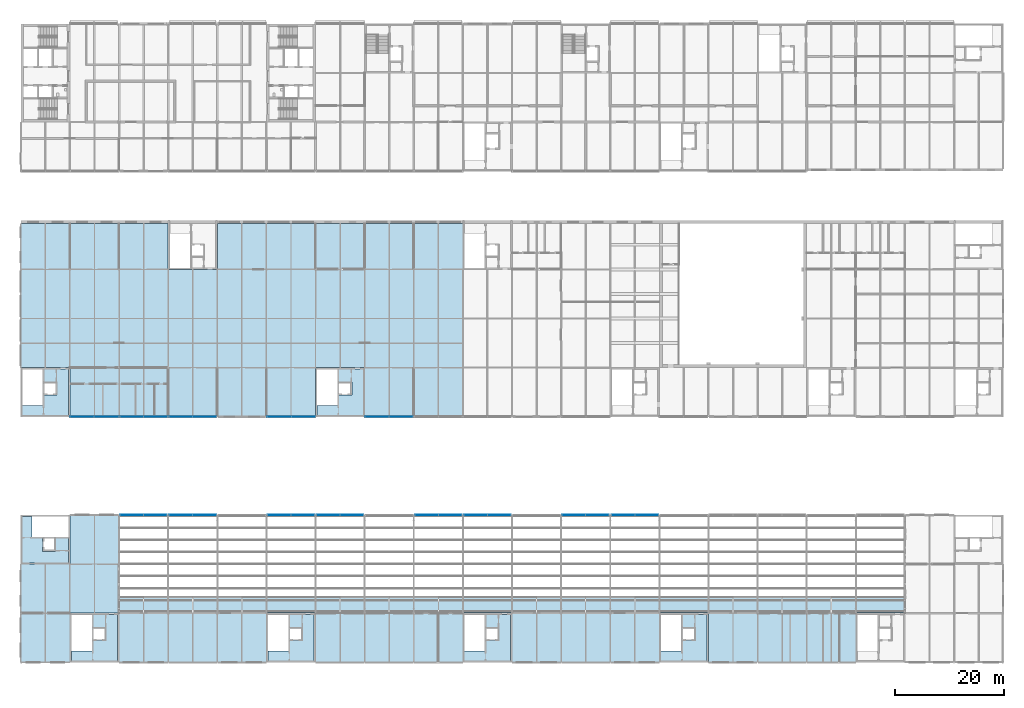
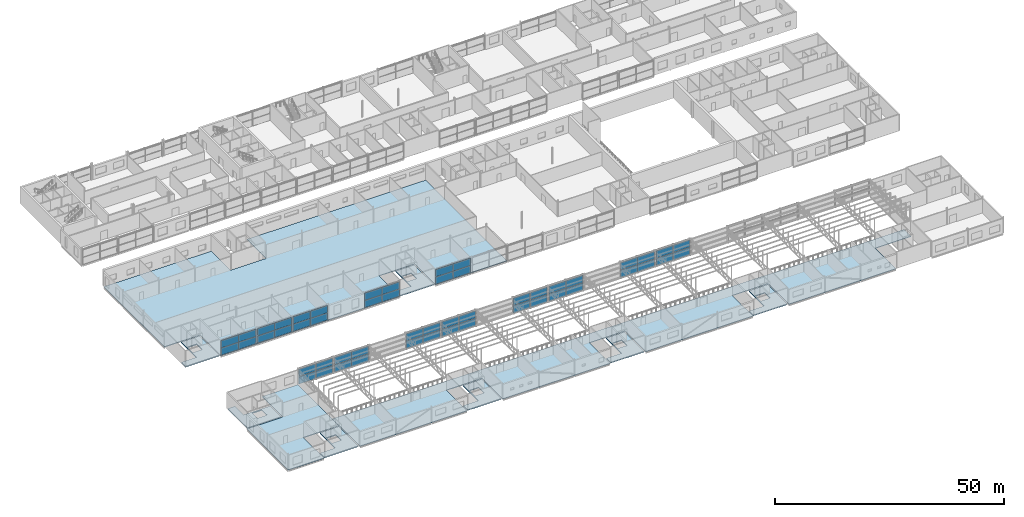
# One storey, part 99 of 138: 52 plates, 10 slabs, 13 elements without a shape of their own.
"""IFC4 building model written with IfcOpenShell, lengths in metres."""

from ifc_helpers import new_model, si_unit, direction, frame, origin, origin_2d, place, context, subcontext, project, spatial, polyline, rectangle, outline, extrude, material, layer, layer_set, type_object, element, aggregate, save


model = new_model("IFC4")

# Units and contexts
model_context = context("Model", 3, precision=1e-05, world=origin(), true_north=direction((0.0, 1.0)))
body_context = subcontext(model_context, "Body", "Model", "MODEL_VIEW")
ifc_project = project(units=[si_unit("LENGTHUNIT", "METRE"), si_unit("AREAUNIT", "SQUARE_METRE"), si_unit("VOLUMEUNIT", "CUBIC_METRE"), si_unit("PLANEANGLEUNIT", "RADIAN"), si_unit("MASSUNIT", "GRAM", prefix="KILO")], contexts=[model_context])

# Site, building, storey
site_placement = place(None, origin())
site = spatial("IfcSite", under=ifc_project, at=site_placement, CompositionType="ELEMENT")
building_placement = place(site_placement, origin())
building = spatial("IfcBuilding", under=site, at=building_placement, Name="Corbel Yard City Hall", CompositionType="ELEMENT")
storey_placement = place(building_placement, frame((0.0, 0.0, 10.5)))
storey = spatial("IfcBuildingStorey", under=building, at=storey_placement, Name="L02", CompositionType="ELEMENT", Elevation=10.5)

# Slabs
ifc_material_1 = material(Name="Concrete N40 (40 MPa)", Category="concrete")
ifc_layer_1 = layer(ifc_material_1, 0.25)
ifc_layer_set_1 = layer_set([ifc_layer_1], Name="Concrete N40 (40 MPa)")
slab_type_1 = type_object("IfcSlabType", Name="CF1", PredefinedType="FLOOR", material=ifc_layer_set_1)
slab_1_placement = place(storey_placement, frame((0.0, 0.0, -0.25)))
element("IfcSlab", 1, at=slab_1_placement, inside=storey, type_object=slab_type_1, Name="Core floor slab", PredefinedType="FLOOR", context=body_context, shape_type="SweptSolid", body=[
    extrude(outline(polyline([(17.75, 8.75), (13.050048828125, 8.75), (13.050048828125, 2.051025390625), (9.25, 2.051025390625), (9.25, 0.25), (17.75, 0.25), (17.75, 8.75)]), holes=[polyline([(15.64990234375, 4.0), (15.64990234375, 6.39990234375), (13.300048828125, 6.39990234375), (13.300048828125, 4.0), (15.64990234375, 4.0)])]), origin(), (0.0, 0.0, 1.0), 0.25),
])
slab_2_placement = place(storey_placement, frame((0.0, 0.0, -0.25)))
element("IfcSlab", 2, at=slab_2_placement, inside=storey, type_object=slab_type_1, Name="Core floor slab", PredefinedType="FLOOR", context=body_context, shape_type="SweptSolid", body=[
    extrude(outline(polyline([(53.75, 8.75), (49.050048828125, 8.75), (49.050048828125, 2.051025390625), (45.25, 2.051025390625), (45.25, 0.25), (53.75, 0.25), (53.75, 8.75)]), holes=[polyline([(51.64990234375, 4.0), (51.64990234375, 6.39990234375), (49.300048828125, 6.39990234375), (49.300048828125, 4.0), (51.64990234375, 4.0)])]), origin(), (0.0, 0.0, 1.0), 0.25),
])
slab_3_placement = place(storey_placement, frame((0.0, 0.0, -0.25)))
element("IfcSlab", 3, at=slab_3_placement, inside=storey, type_object=slab_type_1, Name="Core floor slab", PredefinedType="FLOOR", context=body_context, shape_type="SweptSolid", body=[
    extrude(outline(polyline([(89.75, 8.75), (85.050048828125, 8.75), (85.050048828125, 2.051025390625), (81.25, 2.051025390625), (81.25, 0.25), (89.75, 0.25), (89.75, 8.75)]), holes=[polyline([(87.64990234375, 4.0), (87.64990234375, 6.39990234375), (85.300048828125, 6.39990234375), (85.300048828125, 4.0), (87.64990234375, 4.0)])]), origin(), (0.0, 0.0, 1.0), 0.25),
])
slab_4_placement = place(storey_placement, frame((0.0, 0.0, -0.25)))
element("IfcSlab", 4, at=slab_4_placement, inside=storey, type_object=slab_type_1, Name="Core floor slab", PredefinedType="FLOOR", context=body_context, shape_type="SweptSolid", body=[
    extrude(outline(polyline([(125.75, 8.75), (121.050048828125, 8.75), (121.050048828125, 2.051025390625), (117.25, 2.051025390625), (117.25, 0.25), (125.75, 0.25), (125.75, 8.75)]), holes=[polyline([(123.64990234375, 4.0), (123.64990234375, 6.39990234375), (121.300048828125, 6.39990234375), (121.300048828125, 4.0), (123.64990234375, 4.0)])]), origin(), (0.0, 0.0, 1.0), 0.25),
])
slab_5_placement = place(storey_placement, frame((0.0, 0.0, -0.25)))
element("IfcSlab", 5, at=slab_5_placement, inside=storey, type_object=slab_type_1, Name="Core floor slab", PredefinedType="FLOOR", context=body_context, shape_type="SweptSolid", body=[
    extrude(outline(polyline([(8.75, 18.25), (8.75, 22.949951171875), (2.051025390625, 22.949951171875), (2.051025390625, 26.75), (0.25, 26.75), (0.25, 18.25), (8.75, 18.25)]), holes=[polyline([(6.39990234375, 20.35009765625), (6.39990234375, 22.699951171875), (4.0, 22.699951171875), (4.0, 20.35009765625), (6.39990234375, 20.35009765625)])]), origin(), (0.0, 0.0, 1.0), 0.25),
])
slab_6_placement = place(storey_placement, frame((0.0, 0.0, -0.25)))
element("IfcSlab", 6, at=slab_6_placement, inside=storey, type_object=slab_type_1, Name="Core floor slab", PredefinedType="FLOOR", context=body_context, shape_type="SweptSolid", body=[
    extrude(outline(polyline([(8.75, 53.75), (4.050048828125, 53.75), (4.050048828125, 47.051025390625), (0.25, 47.051025390625), (0.25, 45.25), (8.75, 45.25), (8.75, 53.75)]), holes=[polyline([(6.64990234375, 49.0), (6.64990234375, 51.39990234375), (4.300048828125, 51.39990234375), (4.300048828125, 49.0), (6.64990234375, 49.0)])]), origin(), (0.0, 0.0, 1.0), 0.25),
])
slab_7_placement = place(storey_placement, frame((0.0, 0.0, -0.25)))
element("IfcSlab", 7, at=slab_7_placement, inside=storey, type_object=slab_type_1, Name="Core floor slab", PredefinedType="FLOOR", context=body_context, shape_type="SweptSolid", body=[
    extrude(outline(polyline([(62.75, 53.75), (58.050048828125, 53.75), (58.050048828125, 47.051025390625), (54.25, 47.051025390625), (54.25, 45.25), (62.75, 45.25), (62.75, 53.75)]), holes=[polyline([(60.64990234375, 49.0), (60.64990234375, 51.39990234375), (58.300048828125, 51.39990234375), (58.300048828125, 49.0), (60.64990234375, 49.0)])]), origin(), (0.0, 0.0, 1.0), 0.25),
])
ifc_layer_2 = layer(ifc_material_1, 0.14990234375)
ifc_layer_set_2 = layer_set([ifc_layer_2], Name="Concrete N40 (40 MPa)")
slab_type_2 = type_object("IfcSlabType", Name="Floor slab 150", PredefinedType="FLOOR", material=ifc_layer_set_2)
slab_8_placement = place(storey_placement, frame((0.0, 0.0, -0.14990234375)))
element("IfcSlab", 8, at=slab_8_placement, inside=storey, type_object=slab_type_2, Name="Floor slab Station Link", PredefinedType="FLOOR", context=body_context, shape_type="SweptSolid", body=[
    extrude(outline(polyline([(9.0, 27.0), (9.0, 18.0), (0.0, 18.0), (0.0, 0.0), (9.0, 0.0), (9.0, 9.0), (18.0, 9.0), (18.0, 27.0), (9.0, 27.0)])), origin(), (0.0, 0.0, 1.0), 0.14990234375),
])
slab_9_placement = place(storey_placement, frame((0.0, 0.0, -0.14990234375)))
element("IfcSlab", 9, at=slab_9_placement, inside=storey, type_object=slab_type_2, Name="Floor slab Hall ribbon", PredefinedType="FLOOR", context=body_context, shape_type="SweptSolid", body=[
    extrude(outline(polyline([(126.0, 0.0), (153.0, 0.0), (153.0, 9.0), (162.0, 9.0), (162.0, 12.0), (18.0, 12.0), (18.0, 0.0), (45.0, 0.0), (45.0, 9.0), (54.0, 9.0), (54.0, 0.0), (81.0, 0.0), (81.0, 9.0), (90.0, 9.0), (90.0, 0.0), (117.0, 0.0), (117.0, 9.0), (126.0, 9.0), (126.0, 0.0)])), origin(), (0.0, 0.0, 1.0), 0.14990234375),
])
slab_10_placement = place(storey_placement, frame((0.0, 0.0, -0.14990234375)))
element("IfcSlab", 10, at=slab_10_placement, inside=storey, type_object=slab_type_2, Name="Floor slab Citizens' Service Centre block", PredefinedType="FLOOR", context=body_context, shape_type="SweptSolid", body=[
    extrude(outline(polyline([(81.0, 80.39990234375), (36.0, 80.39990234375), (36.0, 72.0), (27.0, 72.0), (27.0, 80.39990234375), (0.0, 80.39990234375), (0.0, 54.0), (9.0, 54.0), (9.0, 45.0), (54.0, 45.0), (54.0, 54.0), (63.0, 54.0), (63.0, 45.0), (81.0, 45.0), (81.0, 80.39990234375)])), origin(), (0.0, 0.0, 1.0), 0.14990234375),
])

# Curtain wall, plates
ifc_material_2 = material(Name="Aluminium extrusion", Category="aluminium")
ifc_layer_3 = layer(ifc_material_2, 0.199951171875)
ifc_layer_set_3 = layer_set([ifc_layer_3], Name="Aluminium extrusion")
curtain_wall_type_1 = type_object("IfcCurtainWallType", Name="CW1", PredefinedType="USERDEFINED", material=ifc_layer_set_3)
curtain_wall_1_placement = place(storey_placement, origin())
curtain_wall_1 = element("IfcCurtainWall", 11, at=curtain_wall_1_placement, inside=storey, type_object=curtain_wall_type_1, Name="Curtain wall CW1 L02", ObjectType="CURTAIN WALL", PredefinedType="USERDEFINED")
ifc_material_3 = material(Name="Laminated glass", Category="glass")
ifc_layer_4 = layer(ifc_material_3, 0.035888671875)
ifc_layer_set_4 = layer_set([ifc_layer_4], Name="Laminated glass")
plate_type_1 = type_object("IfcPlateType", Name="PN1", PredefinedType="CURTAIN_PANEL", material=ifc_layer_set_4)
plate_1_placement = place(storey_placement, frame((11.234619140625, 45.0, 0.06494140625), z_axis=(0.0, 0.0, 1.0), x_axis=(1.0, 0.0, 0.0)))
plate_1 = element("IfcPlate", 12, at=plate_1_placement, type_object=plate_type_1, Name="CW1 panel 1.1", PredefinedType="CURTAIN_PANEL", context=body_context, shape_type="SweptSolid", body=[
    extrude(rectangle(XDim=4.339111328125, YDim=0.035888671875, at=origin_2d()), origin(), (0.0, 0.0, 1.0), 1.89794921875),
])
plate_2_placement = place(storey_placement, frame((11.234619140625, 45.0, 2.028076171875), z_axis=(0.0, 0.0, 1.0), x_axis=(1.0, 0.0, 0.0)))
plate_2 = element("IfcPlate", 13, at=plate_2_placement, type_object=plate_type_1, Name="CW1 panel 1.2", PredefinedType="CURTAIN_PANEL", context=body_context, shape_type="SweptSolid", body=[
    extrude(rectangle(XDim=4.339111328125, YDim=0.035888671875, at=origin_2d()), origin(), (0.0, 0.0, 1.0), 1.89794921875),
])
plate_3_placement = place(storey_placement, frame((15.638427734375, 45.0, 0.06494140625), z_axis=(0.0, 0.0, 1.0), x_axis=(1.0, 0.0, 0.0)))
plate_3 = element("IfcPlate", 14, at=plate_3_placement, type_object=plate_type_1, Name="CW1 panel 2.1", PredefinedType="CURTAIN_PANEL", context=body_context, shape_type="SweptSolid", body=[
    extrude(rectangle(XDim=4.339111328125, YDim=0.035888671875, at=origin_2d()), origin(), (0.0, 0.0, 1.0), 1.89794921875),
])
plate_4_placement = place(storey_placement, frame((15.638427734375, 45.0, 2.028076171875), z_axis=(0.0, 0.0, 1.0), x_axis=(1.0, 0.0, 0.0)))
plate_4 = element("IfcPlate", 15, at=plate_4_placement, type_object=plate_type_1, Name="CW1 panel 2.2", PredefinedType="CURTAIN_PANEL", context=body_context, shape_type="SweptSolid", body=[
    extrude(rectangle(XDim=4.339111328125, YDim=0.035888671875, at=origin_2d()), origin(), (0.0, 0.0, 1.0), 1.89794921875),
])
aggregate(curtain_wall_1, [plate_1, plate_2, plate_3, plate_4])

curtain_wall_2_placement = place(storey_placement, origin())
curtain_wall_2 = element("IfcCurtainWall", 16, at=curtain_wall_2_placement, inside=storey, type_object=curtain_wall_type_1, Name="Curtain wall CW1 L02", ObjectType="CURTAIN WALL", PredefinedType="USERDEFINED")
plate_5_placement = place(storey_placement, frame((20.329833984375, 45.0, 0.06494140625), z_axis=(0.0, 0.0, 1.0), x_axis=(1.0, 0.0, 0.0)))
plate_5 = element("IfcPlate", 17, at=plate_5_placement, type_object=plate_type_1, Name="CW1 panel 1.1", PredefinedType="CURTAIN_PANEL", context=body_context, shape_type="SweptSolid", body=[
    extrude(rectangle(XDim=4.275390625, YDim=0.035888671875, at=origin_2d()), origin(), (0.0, 0.0, 1.0), 1.89794921875),
])
plate_6_placement = place(storey_placement, frame((20.329833984375, 45.0, 2.028076171875), z_axis=(0.0, 0.0, 1.0), x_axis=(1.0, 0.0, 0.0)))
plate_6 = element("IfcPlate", 18, at=plate_6_placement, type_object=plate_type_1, Name="CW1 panel 1.2", PredefinedType="CURTAIN_PANEL", context=body_context, shape_type="SweptSolid", body=[
    extrude(rectangle(XDim=4.275390625, YDim=0.035888671875, at=origin_2d()), origin(), (0.0, 0.0, 1.0), 1.89794921875),
])
plate_7_placement = place(storey_placement, frame((24.670166015625, 45.0, 0.06494140625), z_axis=(0.0, 0.0, 1.0), x_axis=(1.0, 0.0, 0.0)))
plate_7 = element("IfcPlate", 19, at=plate_7_placement, type_object=plate_type_1, Name="CW1 panel 2.1", PredefinedType="CURTAIN_PANEL", context=body_context, shape_type="SweptSolid", body=[
    extrude(rectangle(XDim=4.275390625, YDim=0.035888671875, at=origin_2d()), origin(), (0.0, 0.0, 1.0), 1.89794921875),
])
plate_8_placement = place(storey_placement, frame((24.670166015625, 45.0, 2.028076171875), z_axis=(0.0, 0.0, 1.0), x_axis=(1.0, 0.0, 0.0)))
plate_8 = element("IfcPlate", 20, at=plate_8_placement, type_object=plate_type_1, Name="CW1 panel 2.2", PredefinedType="CURTAIN_PANEL", context=body_context, shape_type="SweptSolid", body=[
    extrude(rectangle(XDim=4.275390625, YDim=0.035888671875, at=origin_2d()), origin(), (0.0, 0.0, 1.0), 1.89794921875),
])
aggregate(curtain_wall_2, [plate_5, plate_6, plate_7, plate_8])

curtain_wall_3_placement = place(storey_placement, origin())
curtain_wall_3 = element("IfcCurtainWall", 21, at=curtain_wall_3_placement, inside=storey, type_object=curtain_wall_type_1, Name="Curtain wall CW1 L02", ObjectType="CURTAIN WALL", PredefinedType="USERDEFINED")
plate_9_placement = place(storey_placement, frame((29.329833984375, 45.0, 0.06494140625), z_axis=(0.0, 0.0, 1.0), x_axis=(1.0, 0.0, 0.0)))
plate_9 = element("IfcPlate", 22, at=plate_9_placement, type_object=plate_type_1, Name="CW1 panel 1.1", PredefinedType="CURTAIN_PANEL", context=body_context, shape_type="SweptSolid", body=[
    extrude(rectangle(XDim=4.275390625, YDim=0.035888671875, at=origin_2d()), origin(), (0.0, 0.0, 1.0), 1.89794921875),
])
plate_10_placement = place(storey_placement, frame((29.329833984375, 45.0, 2.028076171875), z_axis=(0.0, 0.0, 1.0), x_axis=(1.0, 0.0, 0.0)))
plate_10 = element("IfcPlate", 23, at=plate_10_placement, type_object=plate_type_1, Name="CW1 panel 1.2", PredefinedType="CURTAIN_PANEL", context=body_context, shape_type="SweptSolid", body=[
    extrude(rectangle(XDim=4.275390625, YDim=0.035888671875, at=origin_2d()), origin(), (0.0, 0.0, 1.0), 1.89794921875),
])
plate_11_placement = place(storey_placement, frame((33.670166015625, 45.0, 0.06494140625), z_axis=(0.0, 0.0, 1.0), x_axis=(1.0, 0.0, 0.0)))
plate_11 = element("IfcPlate", 24, at=plate_11_placement, type_object=plate_type_1, Name="CW1 panel 2.1", PredefinedType="CURTAIN_PANEL", context=body_context, shape_type="SweptSolid", body=[
    extrude(rectangle(XDim=4.275390625, YDim=0.035888671875, at=origin_2d()), origin(), (0.0, 0.0, 1.0), 1.89794921875),
])
plate_12_placement = place(storey_placement, frame((33.670166015625, 45.0, 2.028076171875), z_axis=(0.0, 0.0, 1.0), x_axis=(1.0, 0.0, 0.0)))
plate_12 = element("IfcPlate", 25, at=plate_12_placement, type_object=plate_type_1, Name="CW1 panel 2.2", PredefinedType="CURTAIN_PANEL", context=body_context, shape_type="SweptSolid", body=[
    extrude(rectangle(XDim=4.275390625, YDim=0.035888671875, at=origin_2d()), origin(), (0.0, 0.0, 1.0), 1.89794921875),
])
aggregate(curtain_wall_3, [plate_9, plate_10, plate_11, plate_12])

curtain_wall_4_placement = place(storey_placement, origin())
curtain_wall_4 = element("IfcCurtainWall", 26, at=curtain_wall_4_placement, inside=storey, type_object=curtain_wall_type_1, Name="Curtain wall CW1 L02", ObjectType="CURTAIN WALL", PredefinedType="USERDEFINED")
plate_13_placement = place(storey_placement, frame((47.361572265625, 45.0, 0.06494140625), z_axis=(0.0, 0.0, 1.0), x_axis=(1.0, 0.0, 0.0)))
plate_13 = element("IfcPlate", 27, at=plate_13_placement, type_object=plate_type_1, Name="CW1 panel 1.1", PredefinedType="CURTAIN_PANEL", context=body_context, shape_type="SweptSolid", body=[
    extrude(rectangle(XDim=4.339111328125, YDim=0.035888671875, at=origin_2d()), origin(), (0.0, 0.0, 1.0), 1.89794921875),
])
plate_14_placement = place(storey_placement, frame((47.361572265625, 45.0, 2.028076171875), z_axis=(0.0, 0.0, 1.0), x_axis=(1.0, 0.0, 0.0)))
plate_14 = element("IfcPlate", 28, at=plate_14_placement, type_object=plate_type_1, Name="CW1 panel 1.2", PredefinedType="CURTAIN_PANEL", context=body_context, shape_type="SweptSolid", body=[
    extrude(rectangle(XDim=4.339111328125, YDim=0.035888671875, at=origin_2d()), origin(), (0.0, 0.0, 1.0), 1.89794921875),
])
plate_15_placement = place(storey_placement, frame((51.765380859375, 45.0, 0.06494140625), z_axis=(0.0, 0.0, 1.0), x_axis=(1.0, 0.0, 0.0)))
plate_15 = element("IfcPlate", 29, at=plate_15_placement, type_object=plate_type_1, Name="CW1 panel 2.1", PredefinedType="CURTAIN_PANEL", context=body_context, shape_type="SweptSolid", body=[
    extrude(rectangle(XDim=4.339111328125, YDim=0.035888671875, at=origin_2d()), origin(), (0.0, 0.0, 1.0), 1.89794921875),
])
plate_16_placement = place(storey_placement, frame((51.765380859375, 45.0, 2.028076171875), z_axis=(0.0, 0.0, 1.0), x_axis=(1.0, 0.0, 0.0)))
plate_16 = element("IfcPlate", 30, at=plate_16_placement, type_object=plate_type_1, Name="CW1 panel 2.2", PredefinedType="CURTAIN_PANEL", context=body_context, shape_type="SweptSolid", body=[
    extrude(rectangle(XDim=4.339111328125, YDim=0.035888671875, at=origin_2d()), origin(), (0.0, 0.0, 1.0), 1.89794921875),
])
aggregate(curtain_wall_4, [plate_13, plate_14, plate_15, plate_16])

curtain_wall_5_placement = place(storey_placement, origin())
curtain_wall_5 = element("IfcCurtainWall", 31, at=curtain_wall_5_placement, inside=storey, type_object=curtain_wall_type_1, Name="Curtain wall CW1 L02", ObjectType="CURTAIN WALL", PredefinedType="USERDEFINED")
plate_17_placement = place(storey_placement, frame((65.234619140625, 45.0, 0.06494140625), z_axis=(0.0, 0.0, 1.0), x_axis=(1.0, 0.0, 0.0)))
plate_17 = element("IfcPlate", 32, at=plate_17_placement, type_object=plate_type_1, Name="CW1 panel 1.1", PredefinedType="CURTAIN_PANEL", context=body_context, shape_type="SweptSolid", body=[
    extrude(rectangle(XDim=4.339111328125, YDim=0.035888671875, at=origin_2d()), origin(), (0.0, 0.0, 1.0), 1.89794921875),
])
plate_18_placement = place(storey_placement, frame((65.234619140625, 45.0, 2.028076171875), z_axis=(0.0, 0.0, 1.0), x_axis=(1.0, 0.0, 0.0)))
plate_18 = element("IfcPlate", 33, at=plate_18_placement, type_object=plate_type_1, Name="CW1 panel 1.2", PredefinedType="CURTAIN_PANEL", context=body_context, shape_type="SweptSolid", body=[
    extrude(rectangle(XDim=4.339111328125, YDim=0.035888671875, at=origin_2d()), origin(), (0.0, 0.0, 1.0), 1.89794921875),
])
plate_19_placement = place(storey_placement, frame((69.638427734375, 45.0, 0.06494140625), z_axis=(0.0, 0.0, 1.0), x_axis=(1.0, 0.0, 0.0)))
plate_19 = element("IfcPlate", 34, at=plate_19_placement, type_object=plate_type_1, Name="CW1 panel 2.1", PredefinedType="CURTAIN_PANEL", context=body_context, shape_type="SweptSolid", body=[
    extrude(rectangle(XDim=4.339111328125, YDim=0.035888671875, at=origin_2d()), origin(), (0.0, 0.0, 1.0), 1.89794921875),
])
plate_20_placement = place(storey_placement, frame((69.638427734375, 45.0, 2.028076171875), z_axis=(0.0, 0.0, 1.0), x_axis=(1.0, 0.0, 0.0)))
plate_20 = element("IfcPlate", 35, at=plate_20_placement, type_object=plate_type_1, Name="CW1 panel 2.2", PredefinedType="CURTAIN_PANEL", context=body_context, shape_type="SweptSolid", body=[
    extrude(rectangle(XDim=4.339111328125, YDim=0.035888671875, at=origin_2d()), origin(), (0.0, 0.0, 1.0), 1.89794921875),
])
aggregate(curtain_wall_5, [plate_17, plate_18, plate_19, plate_20])

ifc_layer_5 = layer(ifc_material_2, 0.300048828125)
ifc_layer_set_5 = layer_set([ifc_layer_5], Name="Aluminium extrusion")
curtain_wall_type_2 = type_object("IfcCurtainWallType", Name="CW7", PredefinedType="USERDEFINED", material=ifc_layer_set_5)
curtain_wall_6_placement = place(storey_placement, origin())
curtain_wall_6 = element("IfcCurtainWall", 36, at=curtain_wall_6_placement, inside=storey, type_object=curtain_wall_type_2, Name="Curtain wall CW7 L02", ObjectType="CURTAIN WALL", PredefinedType="USERDEFINED")
ifc_material_4 = material(Name="Laminated toughened glass, large format", Category="glass")
ifc_layer_6 = layer(ifc_material_4, 0.048095703125)
ifc_layer_set_6 = layer_set([ifc_layer_6], Name="Laminated toughened glass, large format")
plate_type_2 = type_object("IfcPlateType", Name="PN8", PredefinedType="CURTAIN_PANEL", material=ifc_layer_set_6)
plate_21_placement = place(storey_placement, frame((20.346923828125, 27.0, 0.080078125), z_axis=(0.0, 0.0, 1.0), x_axis=(1.0, 0.0, 0.0)))
plate_21 = element("IfcPlate", 37, at=plate_21_placement, type_object=plate_type_2, Name="CW7 panel 1.1", PredefinedType="CURTAIN_PANEL", context=body_context, shape_type="SweptSolid", body=[
    extrude(rectangle(XDim=4.22607421875, YDim=0.048095703125, at=origin_2d()), origin(), (0.0, 0.0, 1.0), 1.940673828125),
])
plate_22_placement = place(storey_placement, frame((20.346923828125, 27.0, 2.1005859375), z_axis=(0.0, 0.0, 1.0), x_axis=(1.0, 0.0, 0.0)))
plate_22 = element("IfcPlate", 38, at=plate_22_placement, type_object=plate_type_2, Name="CW7 panel 1.2", PredefinedType="CURTAIN_PANEL", context=body_context, shape_type="SweptSolid", body=[
    extrude(rectangle(XDim=4.22607421875, YDim=0.048095703125, at=origin_2d()), origin(), (0.0, 0.0, 1.0), 1.940673828125),
])
plate_23_placement = place(storey_placement, frame((24.653076171875, 27.0, 0.080078125), z_axis=(0.0, 0.0, 1.0), x_axis=(1.0, 0.0, 0.0)))
plate_23 = element("IfcPlate", 39, at=plate_23_placement, type_object=plate_type_2, Name="CW7 panel 2.1", PredefinedType="CURTAIN_PANEL", context=body_context, shape_type="SweptSolid", body=[
    extrude(rectangle(XDim=4.22607421875, YDim=0.048095703125, at=origin_2d()), origin(), (0.0, 0.0, 1.0), 1.940673828125),
])
plate_24_placement = place(storey_placement, frame((24.653076171875, 27.0, 2.1005859375), z_axis=(0.0, 0.0, 1.0), x_axis=(1.0, 0.0, 0.0)))
plate_24 = element("IfcPlate", 40, at=plate_24_placement, type_object=plate_type_2, Name="CW7 panel 2.2", PredefinedType="CURTAIN_PANEL", context=body_context, shape_type="SweptSolid", body=[
    extrude(rectangle(XDim=4.22607421875, YDim=0.048095703125, at=origin_2d()), origin(), (0.0, 0.0, 1.0), 1.940673828125),
])
aggregate(curtain_wall_6, [plate_21, plate_22, plate_23, plate_24])

curtain_wall_7_placement = place(storey_placement, origin())
curtain_wall_7 = element("IfcCurtainWall", 41, at=curtain_wall_7_placement, inside=storey, type_object=curtain_wall_type_2, Name="Curtain wall CW7 L02", ObjectType="CURTAIN WALL", PredefinedType="USERDEFINED")
plate_25_placement = place(storey_placement, frame((29.346923828125, 27.0, 0.080078125), z_axis=(0.0, 0.0, 1.0), x_axis=(1.0, 0.0, 0.0)))
plate_25 = element("IfcPlate", 42, at=plate_25_placement, type_object=plate_type_2, Name="CW7 panel 1.1", PredefinedType="CURTAIN_PANEL", context=body_context, shape_type="SweptSolid", body=[
    extrude(rectangle(XDim=4.22607421875, YDim=0.048095703125, at=origin_2d()), origin(), (0.0, 0.0, 1.0), 1.940673828125),
])
plate_26_placement = place(storey_placement, frame((29.346923828125, 27.0, 2.1005859375), z_axis=(0.0, 0.0, 1.0), x_axis=(1.0, 0.0, 0.0)))
plate_26 = element("IfcPlate", 43, at=plate_26_placement, type_object=plate_type_2, Name="CW7 panel 1.2", PredefinedType="CURTAIN_PANEL", context=body_context, shape_type="SweptSolid", body=[
    extrude(rectangle(XDim=4.22607421875, YDim=0.048095703125, at=origin_2d()), origin(), (0.0, 0.0, 1.0), 1.940673828125),
])
plate_27_placement = place(storey_placement, frame((33.653076171875, 27.0, 0.080078125), z_axis=(0.0, 0.0, 1.0), x_axis=(1.0, 0.0, 0.0)))
plate_27 = element("IfcPlate", 44, at=plate_27_placement, type_object=plate_type_2, Name="CW7 panel 2.1", PredefinedType="CURTAIN_PANEL", context=body_context, shape_type="SweptSolid", body=[
    extrude(rectangle(XDim=4.22607421875, YDim=0.048095703125, at=origin_2d()), origin(), (0.0, 0.0, 1.0), 1.940673828125),
])
plate_28_placement = place(storey_placement, frame((33.653076171875, 27.0, 2.1005859375), z_axis=(0.0, 0.0, 1.0), x_axis=(1.0, 0.0, 0.0)))
plate_28 = element("IfcPlate", 45, at=plate_28_placement, type_object=plate_type_2, Name="CW7 panel 2.2", PredefinedType="CURTAIN_PANEL", context=body_context, shape_type="SweptSolid", body=[
    extrude(rectangle(XDim=4.22607421875, YDim=0.048095703125, at=origin_2d()), origin(), (0.0, 0.0, 1.0), 1.940673828125),
])
aggregate(curtain_wall_7, [plate_25, plate_26, plate_27, plate_28])

curtain_wall_8_placement = place(storey_placement, origin())
curtain_wall_8 = element("IfcCurtainWall", 46, at=curtain_wall_8_placement, inside=storey, type_object=curtain_wall_type_2, Name="Curtain wall CW7 L02", ObjectType="CURTAIN WALL", PredefinedType="USERDEFINED")
plate_29_placement = place(storey_placement, frame((47.346923828125, 27.0, 0.080078125), z_axis=(0.0, 0.0, 1.0), x_axis=(1.0, 0.0, 0.0)))
plate_29 = element("IfcPlate", 47, at=plate_29_placement, type_object=plate_type_2, Name="CW7 panel 1.1", PredefinedType="CURTAIN_PANEL", context=body_context, shape_type="SweptSolid", body=[
    extrude(rectangle(XDim=4.22607421875, YDim=0.048095703125, at=origin_2d()), origin(), (0.0, 0.0, 1.0), 1.940673828125),
])
plate_30_placement = place(storey_placement, frame((47.346923828125, 27.0, 2.1005859375), z_axis=(0.0, 0.0, 1.0), x_axis=(1.0, 0.0, 0.0)))
plate_30 = element("IfcPlate", 48, at=plate_30_placement, type_object=plate_type_2, Name="CW7 panel 1.2", PredefinedType="CURTAIN_PANEL", context=body_context, shape_type="SweptSolid", body=[
    extrude(rectangle(XDim=4.22607421875, YDim=0.048095703125, at=origin_2d()), origin(), (0.0, 0.0, 1.0), 1.940673828125),
])
plate_31_placement = place(storey_placement, frame((51.653076171875, 27.0, 0.080078125), z_axis=(0.0, 0.0, 1.0), x_axis=(1.0, 0.0, 0.0)))
plate_31 = element("IfcPlate", 49, at=plate_31_placement, type_object=plate_type_2, Name="CW7 panel 2.1", PredefinedType="CURTAIN_PANEL", context=body_context, shape_type="SweptSolid", body=[
    extrude(rectangle(XDim=4.22607421875, YDim=0.048095703125, at=origin_2d()), origin(), (0.0, 0.0, 1.0), 1.940673828125),
])
plate_32_placement = place(storey_placement, frame((51.653076171875, 27.0, 2.1005859375), z_axis=(0.0, 0.0, 1.0), x_axis=(1.0, 0.0, 0.0)))
plate_32 = element("IfcPlate", 50, at=plate_32_placement, type_object=plate_type_2, Name="CW7 panel 2.2", PredefinedType="CURTAIN_PANEL", context=body_context, shape_type="SweptSolid", body=[
    extrude(rectangle(XDim=4.22607421875, YDim=0.048095703125, at=origin_2d()), origin(), (0.0, 0.0, 1.0), 1.940673828125),
])
aggregate(curtain_wall_8, [plate_29, plate_30, plate_31, plate_32])

curtain_wall_9_placement = place(storey_placement, origin())
curtain_wall_9 = element("IfcCurtainWall", 51, at=curtain_wall_9_placement, inside=storey, type_object=curtain_wall_type_2, Name="Curtain wall CW7 L02", ObjectType="CURTAIN WALL", PredefinedType="USERDEFINED")
plate_33_placement = place(storey_placement, frame((56.346923828125, 27.0, 0.080078125), z_axis=(0.0, 0.0, 1.0), x_axis=(1.0, 0.0, 0.0)))
plate_33 = element("IfcPlate", 52, at=plate_33_placement, type_object=plate_type_2, Name="CW7 panel 1.1", PredefinedType="CURTAIN_PANEL", context=body_context, shape_type="SweptSolid", body=[
    extrude(rectangle(XDim=4.22607421875, YDim=0.048095703125, at=origin_2d()), origin(), (0.0, 0.0, 1.0), 1.940673828125),
])
plate_34_placement = place(storey_placement, frame((56.346923828125, 27.0, 2.1005859375), z_axis=(0.0, 0.0, 1.0), x_axis=(1.0, 0.0, 0.0)))
plate_34 = element("IfcPlate", 53, at=plate_34_placement, type_object=plate_type_2, Name="CW7 panel 1.2", PredefinedType="CURTAIN_PANEL", context=body_context, shape_type="SweptSolid", body=[
    extrude(rectangle(XDim=4.22607421875, YDim=0.048095703125, at=origin_2d()), origin(), (0.0, 0.0, 1.0), 1.940673828125),
])
plate_35_placement = place(storey_placement, frame((60.653076171875, 27.0, 0.080078125), z_axis=(0.0, 0.0, 1.0), x_axis=(1.0, 0.0, 0.0)))
plate_35 = element("IfcPlate", 54, at=plate_35_placement, type_object=plate_type_2, Name="CW7 panel 2.1", PredefinedType="CURTAIN_PANEL", context=body_context, shape_type="SweptSolid", body=[
    extrude(rectangle(XDim=4.22607421875, YDim=0.048095703125, at=origin_2d()), origin(), (0.0, 0.0, 1.0), 1.940673828125),
])
plate_36_placement = place(storey_placement, frame((60.653076171875, 27.0, 2.1005859375), z_axis=(0.0, 0.0, 1.0), x_axis=(1.0, 0.0, 0.0)))
plate_36 = element("IfcPlate", 55, at=plate_36_placement, type_object=plate_type_2, Name="CW7 panel 2.2", PredefinedType="CURTAIN_PANEL", context=body_context, shape_type="SweptSolid", body=[
    extrude(rectangle(XDim=4.22607421875, YDim=0.048095703125, at=origin_2d()), origin(), (0.0, 0.0, 1.0), 1.940673828125),
])
aggregate(curtain_wall_9, [plate_33, plate_34, plate_35, plate_36])

curtain_wall_10_placement = place(storey_placement, origin())
curtain_wall_10 = element("IfcCurtainWall", 56, at=curtain_wall_10_placement, inside=storey, type_object=curtain_wall_type_2, Name="Curtain wall CW7 L02", ObjectType="CURTAIN WALL", PredefinedType="USERDEFINED")
plate_37_placement = place(storey_placement, frame((74.346923828125, 27.0, 0.080078125), z_axis=(0.0, 0.0, 1.0), x_axis=(1.0, 0.0, 0.0)))
plate_37 = element("IfcPlate", 57, at=plate_37_placement, type_object=plate_type_2, Name="CW7 panel 1.1", PredefinedType="CURTAIN_PANEL", context=body_context, shape_type="SweptSolid", body=[
    extrude(rectangle(XDim=4.22607421875, YDim=0.048095703125, at=origin_2d()), origin(), (0.0, 0.0, 1.0), 1.940673828125),
])
plate_38_placement = place(storey_placement, frame((74.346923828125, 27.0, 2.1005859375), z_axis=(0.0, 0.0, 1.0), x_axis=(1.0, 0.0, 0.0)))
plate_38 = element("IfcPlate", 58, at=plate_38_placement, type_object=plate_type_2, Name="CW7 panel 1.2", PredefinedType="CURTAIN_PANEL", context=body_context, shape_type="SweptSolid", body=[
    extrude(rectangle(XDim=4.22607421875, YDim=0.048095703125, at=origin_2d()), origin(), (0.0, 0.0, 1.0), 1.940673828125),
])
plate_39_placement = place(storey_placement, frame((78.653076171875, 27.0, 0.080078125), z_axis=(0.0, 0.0, 1.0), x_axis=(1.0, 0.0, 0.0)))
plate_39 = element("IfcPlate", 59, at=plate_39_placement, type_object=plate_type_2, Name="CW7 panel 2.1", PredefinedType="CURTAIN_PANEL", context=body_context, shape_type="SweptSolid", body=[
    extrude(rectangle(XDim=4.22607421875, YDim=0.048095703125, at=origin_2d()), origin(), (0.0, 0.0, 1.0), 1.940673828125),
])
plate_40_placement = place(storey_placement, frame((78.653076171875, 27.0, 2.1005859375), z_axis=(0.0, 0.0, 1.0), x_axis=(1.0, 0.0, 0.0)))
plate_40 = element("IfcPlate", 60, at=plate_40_placement, type_object=plate_type_2, Name="CW7 panel 2.2", PredefinedType="CURTAIN_PANEL", context=body_context, shape_type="SweptSolid", body=[
    extrude(rectangle(XDim=4.22607421875, YDim=0.048095703125, at=origin_2d()), origin(), (0.0, 0.0, 1.0), 1.940673828125),
])
aggregate(curtain_wall_10, [plate_37, plate_38, plate_39, plate_40])

curtain_wall_11_placement = place(storey_placement, origin())
curtain_wall_11 = element("IfcCurtainWall", 61, at=curtain_wall_11_placement, inside=storey, type_object=curtain_wall_type_2, Name="Curtain wall CW7 L02", ObjectType="CURTAIN WALL", PredefinedType="USERDEFINED")
plate_41_placement = place(storey_placement, frame((83.346923828125, 27.0, 0.080078125), z_axis=(0.0, 0.0, 1.0), x_axis=(1.0, 0.0, 0.0)))
plate_41 = element("IfcPlate", 62, at=plate_41_placement, type_object=plate_type_2, Name="CW7 panel 1.1", PredefinedType="CURTAIN_PANEL", context=body_context, shape_type="SweptSolid", body=[
    extrude(rectangle(XDim=4.22607421875, YDim=0.048095703125, at=origin_2d()), origin(), (0.0, 0.0, 1.0), 1.940673828125),
])
plate_42_placement = place(storey_placement, frame((83.346923828125, 27.0, 2.1005859375), z_axis=(0.0, 0.0, 1.0), x_axis=(1.0, 0.0, 0.0)))
plate_42 = element("IfcPlate", 63, at=plate_42_placement, type_object=plate_type_2, Name="CW7 panel 1.2", PredefinedType="CURTAIN_PANEL", context=body_context, shape_type="SweptSolid", body=[
    extrude(rectangle(XDim=4.22607421875, YDim=0.048095703125, at=origin_2d()), origin(), (0.0, 0.0, 1.0), 1.940673828125),
])
plate_43_placement = place(storey_placement, frame((87.653076171875, 27.0, 0.080078125), z_axis=(0.0, 0.0, 1.0), x_axis=(1.0, 0.0, 0.0)))
plate_43 = element("IfcPlate", 64, at=plate_43_placement, type_object=plate_type_2, Name="CW7 panel 2.1", PredefinedType="CURTAIN_PANEL", context=body_context, shape_type="SweptSolid", body=[
    extrude(rectangle(XDim=4.22607421875, YDim=0.048095703125, at=origin_2d()), origin(), (0.0, 0.0, 1.0), 1.940673828125),
])
plate_44_placement = place(storey_placement, frame((87.653076171875, 27.0, 2.1005859375), z_axis=(0.0, 0.0, 1.0), x_axis=(1.0, 0.0, 0.0)))
plate_44 = element("IfcPlate", 65, at=plate_44_placement, type_object=plate_type_2, Name="CW7 panel 2.2", PredefinedType="CURTAIN_PANEL", context=body_context, shape_type="SweptSolid", body=[
    extrude(rectangle(XDim=4.22607421875, YDim=0.048095703125, at=origin_2d()), origin(), (0.0, 0.0, 1.0), 1.940673828125),
])
aggregate(curtain_wall_11, [plate_41, plate_42, plate_43, plate_44])

curtain_wall_12_placement = place(storey_placement, origin())
curtain_wall_12 = element("IfcCurtainWall", 66, at=curtain_wall_12_placement, inside=storey, type_object=curtain_wall_type_2, Name="Curtain wall CW7 L02", ObjectType="CURTAIN WALL", PredefinedType="USERDEFINED")
plate_45_placement = place(storey_placement, frame((101.346923828125, 27.0, 0.080078125), z_axis=(0.0, 0.0, 1.0), x_axis=(1.0, 0.0, 0.0)))
plate_45 = element("IfcPlate", 67, at=plate_45_placement, type_object=plate_type_2, Name="CW7 panel 1.1", PredefinedType="CURTAIN_PANEL", context=body_context, shape_type="SweptSolid", body=[
    extrude(rectangle(XDim=4.22607421875, YDim=0.048095703125, at=origin_2d()), origin(), (0.0, 0.0, 1.0), 1.940673828125),
])
plate_46_placement = place(storey_placement, frame((101.346923828125, 27.0, 2.1005859375), z_axis=(0.0, 0.0, 1.0), x_axis=(1.0, 0.0, 0.0)))
plate_46 = element("IfcPlate", 68, at=plate_46_placement, type_object=plate_type_2, Name="CW7 panel 1.2", PredefinedType="CURTAIN_PANEL", context=body_context, shape_type="SweptSolid", body=[
    extrude(rectangle(XDim=4.22607421875, YDim=0.048095703125, at=origin_2d()), origin(), (0.0, 0.0, 1.0), 1.940673828125),
])
plate_47_placement = place(storey_placement, frame((105.653076171875, 27.0, 0.080078125), z_axis=(0.0, 0.0, 1.0), x_axis=(1.0, 0.0, 0.0)))
plate_47 = element("IfcPlate", 69, at=plate_47_placement, type_object=plate_type_2, Name="CW7 panel 2.1", PredefinedType="CURTAIN_PANEL", context=body_context, shape_type="SweptSolid", body=[
    extrude(rectangle(XDim=4.22607421875, YDim=0.048095703125, at=origin_2d()), origin(), (0.0, 0.0, 1.0), 1.940673828125),
])
plate_48_placement = place(storey_placement, frame((105.653076171875, 27.0, 2.1005859375), z_axis=(0.0, 0.0, 1.0), x_axis=(1.0, 0.0, 0.0)))
plate_48 = element("IfcPlate", 70, at=plate_48_placement, type_object=plate_type_2, Name="CW7 panel 2.2", PredefinedType="CURTAIN_PANEL", context=body_context, shape_type="SweptSolid", body=[
    extrude(rectangle(XDim=4.22607421875, YDim=0.048095703125, at=origin_2d()), origin(), (0.0, 0.0, 1.0), 1.940673828125),
])
aggregate(curtain_wall_12, [plate_45, plate_46, plate_47, plate_48])

curtain_wall_13_placement = place(storey_placement, origin())
curtain_wall_13 = element("IfcCurtainWall", 71, at=curtain_wall_13_placement, inside=storey, type_object=curtain_wall_type_2, Name="Curtain wall CW7 L02", ObjectType="CURTAIN WALL", PredefinedType="USERDEFINED")
plate_49_placement = place(storey_placement, frame((110.346923828125, 27.0, 0.080078125), z_axis=(0.0, 0.0, 1.0), x_axis=(1.0, 0.0, 0.0)))
plate_49 = element("IfcPlate", 72, at=plate_49_placement, type_object=plate_type_2, Name="CW7 panel 1.1", PredefinedType="CURTAIN_PANEL", context=body_context, shape_type="SweptSolid", body=[
    extrude(rectangle(XDim=4.22607421875, YDim=0.048095703125, at=origin_2d()), origin(), (0.0, 0.0, 1.0), 1.940673828125),
])
plate_50_placement = place(storey_placement, frame((110.346923828125, 27.0, 2.1005859375), z_axis=(0.0, 0.0, 1.0), x_axis=(1.0, 0.0, 0.0)))
plate_50 = element("IfcPlate", 73, at=plate_50_placement, type_object=plate_type_2, Name="CW7 panel 1.2", PredefinedType="CURTAIN_PANEL", context=body_context, shape_type="SweptSolid", body=[
    extrude(rectangle(XDim=4.22607421875, YDim=0.048095703125, at=origin_2d()), origin(), (0.0, 0.0, 1.0), 1.940673828125),
])
plate_51_placement = place(storey_placement, frame((114.653076171875, 27.0, 0.080078125), z_axis=(0.0, 0.0, 1.0), x_axis=(1.0, 0.0, 0.0)))
plate_51 = element("IfcPlate", 74, at=plate_51_placement, type_object=plate_type_2, Name="CW7 panel 2.1", PredefinedType="CURTAIN_PANEL", context=body_context, shape_type="SweptSolid", body=[
    extrude(rectangle(XDim=4.22607421875, YDim=0.048095703125, at=origin_2d()), origin(), (0.0, 0.0, 1.0), 1.940673828125),
])
plate_52_placement = place(storey_placement, frame((114.653076171875, 27.0, 2.1005859375), z_axis=(0.0, 0.0, 1.0), x_axis=(1.0, 0.0, 0.0)))
plate_52 = element("IfcPlate", 75, at=plate_52_placement, type_object=plate_type_2, Name="CW7 panel 2.2", PredefinedType="CURTAIN_PANEL", context=body_context, shape_type="SweptSolid", body=[
    extrude(rectangle(XDim=4.22607421875, YDim=0.048095703125, at=origin_2d()), origin(), (0.0, 0.0, 1.0), 1.940673828125),
])
aggregate(curtain_wall_13, [plate_49, plate_50, plate_51, plate_52])

save(model, "model.ifc")
